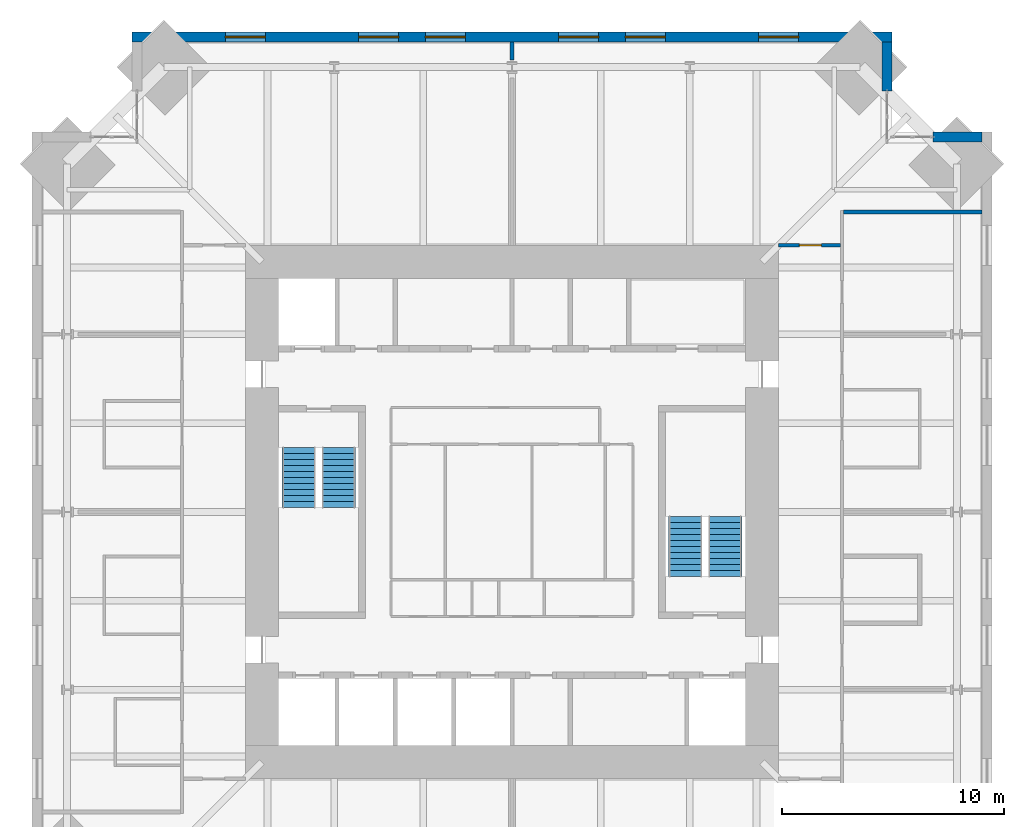
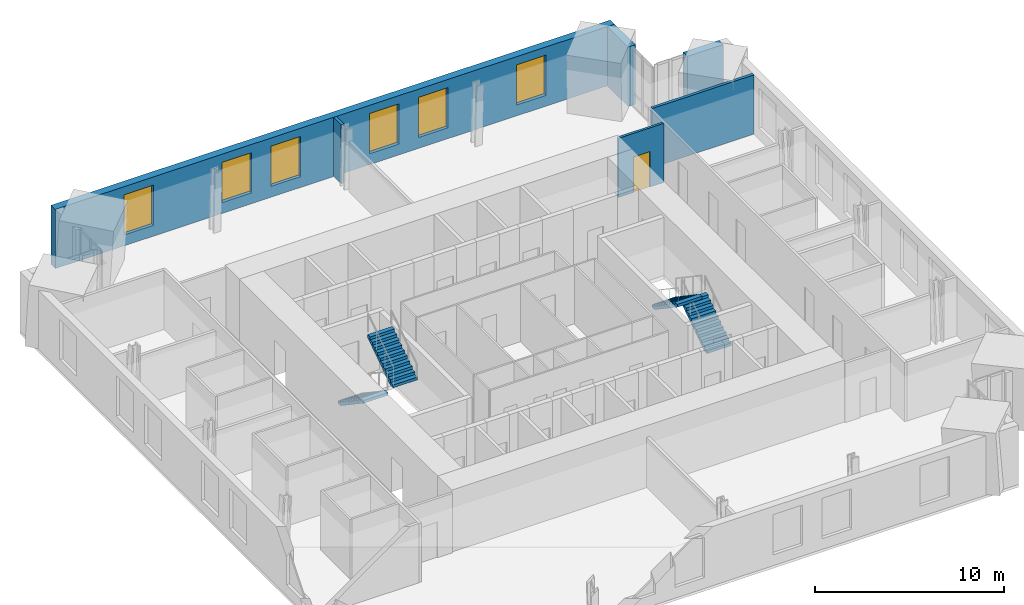
# One storey, part 15 of 16: 6 walls, 6 windows, 4 stair flights, 1 door, 7 openings, 2 elements without a shape of their own.
"""IFC4 building model written with IfcOpenShell, lengths in metres."""

import ifcopenshell
import ifcopenshell.guid

model = None  # the IFC model being written
_history = None  # IfcOwnerHistory: only IFC2X3 demands one
_inside = {}  # id of a spatial element -> (the spatial element, [elements in it])
_under = {}  # id of a project, library or spatial element -> (it, [spatial elements below it])
_declared = {}  # id of a project -> (the project, [libraries it declares])
_typed = {}  # id of a type object -> (the type object, [elements of that type])
_made_of = {}  # id of a material, layer set ... -> (it, [elements and type objects made of it])


def new_model(schema):
    """Start an empty IFC model of exactly this schema.

    Asked for "IFC4X3", IfcOpenShell would pick the latest addendum, in which some entities
    have other attributes; the version numbers below select the first issue.
    IFC2X3 requires an IfcOwnerHistory on every rooted entity: one is made here for all.
    """
    global model, _history
    if schema == "IFC4X3":
        model = ifcopenshell.file(schema_version=(4, 3, 0, 0))
    else:
        model = ifcopenshell.file(schema=schema)
    _inside.clear()
    _under.clear()
    _declared.clear()
    _typed.clear()
    _made_of.clear()
    _history = None
    if model.schema == "IFC2X3":
        org = make("IfcOrganization", Name="unknown")
        user = make(
            "IfcPersonAndOrganization",
            ThePerson=make("IfcPerson", FamilyName="unknown"),
            TheOrganization=org,
        )
        app = make(
            "IfcApplication",
            ApplicationDeveloper=org,
            Version="unknown",
            ApplicationFullName="unknown",
            ApplicationIdentifier="unknown",
        )
        _history = make(
            "IfcOwnerHistory",
            OwningUser=user,
            OwningApplication=app,
            ChangeAction="ADDED",
            CreationDate=0,
        )
    return model


def make(cls, **values):
    """One entity of the class cls with the attributes given. An attribute that is None is left unset."""
    return model.create_entity(
        cls, **{name: value for name, value in values.items() if value is not None}
    )


def rooted(cls, **values):
    """An entity with a GlobalId (a new one), such as an element, a storey or a relation."""
    return make(cls, GlobalId=ifcopenshell.guid.new(), OwnerHistory=_history, **values)


def si_unit(unit_type, name, prefix=None):
    """IfcSIUnit, for example si_unit("LENGTHUNIT", "METRE", prefix="MILLI")."""
    return make("IfcSIUnit", UnitType=unit_type, Prefix=prefix, Name=name)


def assignment(units):
    """IfcUnitAssignment: the units of a project."""
    return None if units is None else make("IfcUnitAssignment", Units=units)


def point(xyz):
    """IfcCartesianPoint."""
    return None if xyz is None else make("IfcCartesianPoint", Coordinates=xyz)


def direction(xyz):
    """IfcDirection."""
    return None if xyz is None else make("IfcDirection", DirectionRatios=xyz)


def frame(location, z_axis=None, x_axis=None):
    """IfcAxis2Placement3D, a coordinate frame: its origin and axes. An axis left out is left unset."""
    return make(
        "IfcAxis2Placement3D",
        Location=point(location),
        Axis=direction(z_axis),
        RefDirection=direction(x_axis),
    )


def frame_2d(location, x_axis=None):
    """IfcAxis2Placement2D, a coordinate frame in the plane: its origin and x axis."""
    return make(
        "IfcAxis2Placement2D", Location=point(location), RefDirection=direction(x_axis)
    )


def origin():
    """The frame at (0, 0, 0) with its axes left unset."""
    return frame((0.0, 0.0, 0.0))


def place(relative_to, where):
    """IfcLocalPlacement: puts the frame where relative to a parent placement (None: the world)."""
    return make(
        "IfcLocalPlacement", PlacementRelTo=relative_to, RelativePlacement=where
    )


def context(
    kind, dimensions, precision=None, world=None, true_north=None, identifier=None
):
    """IfcGeometricRepresentationContext, for example the 3D "Model" context."""
    return make(
        "IfcGeometricRepresentationContext",
        ContextIdentifier=identifier,
        ContextType=kind,
        CoordinateSpaceDimension=dimensions,
        Precision=precision,
        WorldCoordinateSystem=world,
        TrueNorth=true_north,
    )


def subcontext(parent, identifier, kind, view, scale=None):
    """IfcGeometricRepresentationSubContext, for example "Body" below "Model"."""
    return make(
        "IfcGeometricRepresentationSubContext",
        ContextIdentifier=identifier,
        ContextType=kind,
        ParentContext=parent,
        TargetScale=scale,
        TargetView=view,
    )


def project(units=None, contexts=None):
    """IfcProject with its units and contexts."""
    return rooted(
        "IfcProject",
        Name="project",
        RepresentationContexts=contexts,
        UnitsInContext=assignment(units),
    )


def spatial(cls, under=None, at=None, **own):
    """A site, building, storey or space (cls), placed at a placement, below another one or the project."""
    s = rooted(cls, ObjectPlacement=at, **own)
    if under is not None:
        _under.setdefault(under.id(), (under, []))[1].append(s)
    return s


def polyline(points):
    """IfcPolyline through the points."""
    return make("IfcPolyline", Points=[point(p) for p in points])


def profile(cls, at=None, kind="AREA", **sizes):
    """A parametric profile (cls). Its sizes go by their IFC names, for example OverallWidth=200.0."""
    return make(cls, ProfileType=kind, Position=at, **sizes)


def rectangle(**sizes):
    """IfcRectangleProfileDef."""
    return profile("IfcRectangleProfileDef", **sizes)


def outline(outer, holes=None, kind="AREA"):
    """IfcArbitraryClosedProfileDef: a profile drawn as a closed curve; with holes, ...WithVoids."""
    if holes is None:
        return make("IfcArbitraryClosedProfileDef", ProfileType=kind, OuterCurve=outer)
    return make(
        "IfcArbitraryProfileDefWithVoids",
        ProfileType=kind,
        OuterCurve=outer,
        InnerCurves=holes,
    )


def extrude(swept, where, along, depth):
    """IfcExtrudedAreaSolid: the profile swept, set in the frame where, extruded along a direction by depth."""
    return make(
        "IfcExtrudedAreaSolid",
        SweptArea=swept,
        Position=where,
        ExtrudedDirection=direction(along),
        Depth=depth,
    )


def shape(context_of_items, identifier, shape_type, items):
    """IfcShapeRepresentation: the items that make up one representation, for example the "Body"."""
    return make(
        "IfcShapeRepresentation",
        ContextOfItems=context_of_items,
        RepresentationIdentifier=identifier,
        RepresentationType=shape_type,
        Items=items,
    )


def material(Name=None, Category=None):
    """IfcMaterial."""
    return make("IfcMaterial", Name=Name, Category=Category)


def layer(
    of_material, thickness, ventilated=None, Name=None, Category=None, Priority=None
):
    """IfcMaterialLayer: one layer of a wall or slab, of a material (None: an air gap)."""
    return make(
        "IfcMaterialLayer",
        Material=of_material,
        LayerThickness=thickness,
        IsVentilated=ventilated,
        Name=Name,
        Category=Category,
        Priority=Priority,
    )


def layer_set(layers, Name=None):
    """IfcMaterialLayerSet."""
    return make("IfcMaterialLayerSet", MaterialLayers=layers, LayerSetName=Name)


def made_of(thing, what):
    """Note that an element or type object is made of a material, layer set ...; save() writes the relation."""
    if what is not None:
        _made_of.setdefault(what.id(), (what, []))[1].append(thing)
    return thing


def type_object(cls, material=None, **own):
    """A type object (cls), such as IfcWallType, which elements share."""
    return made_of(rooted(cls, **own), material)


def element(
    cls,
    number,
    at=None,
    inside=None,
    cuts=None,
    type_object=None,
    material=None,
    context=None,
    identifier="Body",
    shape_type=None,
    held_by="IfcProductDefinitionShape",
    body=None,
    shapes=None,
    **own,
):
    """One element of the class cls, such as IfcWall. Its Tag is "e" and its number.

    at: its placement. inside: the storey or other place that contains it. cuts: it is an
    opening in that element (IfcRelVoidsElement). A single representation is given by context,
    identifier, shape_type and body (its items); several are given by shapes. held_by: the class
    of the entity that holds the representations. save() writes the other relations.
    """
    e = rooted(cls, Tag="e%d" % number, ObjectPlacement=at, **own)
    if body is not None:
        shapes = [shape(context, identifier, shape_type, body)]
    if shapes is not None:
        e.Representation = make(held_by, Representations=shapes)
    if inside is not None:
        _inside.setdefault(inside.id(), (inside, []))[1].append(e)
    if cuts is not None:
        rooted(
            "IfcRelVoidsElement", RelatingBuildingElement=cuts, RelatedOpeningElement=e
        )
    if type_object is not None:
        _typed.setdefault(type_object.id(), (type_object, []))[1].append(e)
    return made_of(e, material)


def fill(opening, filler):
    """IfcRelFillsElement: the door or window that sits in an opening."""
    return rooted(
        "IfcRelFillsElement",
        RelatingOpeningElement=opening,
        RelatedBuildingElement=filler,
    )


def aggregate(whole, parts):
    """IfcRelAggregates: a whole, such as a stair, and the parts it consists of."""
    return rooted("IfcRelAggregates", RelatingObject=whole, RelatedObjects=parts)


def save(model, path):
    """Write the relations noted so far, then the file.

    IfcRelAggregates (storeys below a building ...), IfcRelContainedInSpatialStructure (elements
    in a storey), IfcRelDefinesByType, IfcRelAssociatesMaterial and IfcRelDeclares: one each for
    every whole, place, type object, material and project.
    """
    for whole, parts in _under.values():
        aggregate(whole, parts)
    for where, things in _inside.values():
        rooted(
            "IfcRelContainedInSpatialStructure",
            RelatedElements=things,
            RelatingStructure=where,
        )
    for kind, things in _typed.values():
        rooted("IfcRelDefinesByType", RelatedObjects=things, RelatingType=kind)
    for what, things in _made_of.values():
        rooted("IfcRelAssociatesMaterial", RelatedObjects=things, RelatingMaterial=what)
    for by, libraries in _declared.values():
        rooted("IfcRelDeclares", RelatingContext=by, RelatedDefinitions=libraries)
    model.write(path)


model = new_model("IFC4")

# Units and contexts
model_context = context("Model", 3, precision=1e-05, world=origin(), true_north=direction((0.0, 1.0)))
body_context = subcontext(model_context, "Body", "Model", "MODEL_VIEW")
ifc_project = project(units=[si_unit("LENGTHUNIT", "METRE"), si_unit("AREAUNIT", "SQUARE_METRE"), si_unit("VOLUMEUNIT", "CUBIC_METRE"), si_unit("PLANEANGLEUNIT", "RADIAN"), si_unit("MASSUNIT", "GRAM", prefix="KILO")], contexts=[model_context])

# Site, building, storey
site_placement = place(None, origin())
site = spatial("IfcSite", under=ifc_project, at=site_placement, CompositionType="ELEMENT")
building_placement = place(site_placement, origin())
building = spatial("IfcBuilding", under=site, at=building_placement, Name="Peilmerk Tower", CompositionType="ELEMENT")
storey_placement = place(building_placement, frame((0.0, 0.0, 269.800048828125)))
storey = spatial("IfcBuildingStorey", under=building, at=storey_placement, Name="L60", CompositionType="ELEMENT", Elevation=269.800048828125)

# Wall, openings, windows
ifc_material_1 = material(Name="Precast concrete C45/55, board-marked finish", Category="concrete")
ifc_layer_1 = layer(ifc_material_1, 0.449951171875)
ifc_layer_set_1 = layer_set([ifc_layer_1], Name="Precast concrete C45/55, board-marked finish")
wall_type_1 = type_object("IfcWallType", Name="EW1 450 precast concrete facade wall, board-marked", PredefinedType="SOLIDWALL", material=ifc_layer_set_1)
wall_1_placement = place(storey_placement, frame((17.10009765625, 21.375, 0.0), z_axis=(0.0, 0.0, 1.0), x_axis=(-1.0, 0.0, 0.0)))
wall_1 = element("IfcWall", 1, at=wall_1_placement, inside=storey, type_object=wall_type_1, Name="Facade wall N L60", PredefinedType="SOLIDWALL", context=body_context, shape_type="SweptSolid", body=[
    extrude(rectangle(XDim=34.2001953125, YDim=0.449951171875, at=frame_2d((17.10009765625, 0.0))), origin(), (0.0, 0.0, 1.0), 3.829833984375),
])
opening_1_placement = place(wall_1_placement, frame((4.199951171875, 0.0, 0.699951171875)))
opening_1 = element("IfcOpeningElement", 2, at=opening_1_placement, cuts=wall_1, Name="Opening W1", PredefinedType="OPENING", context=body_context, shape_type="SweptSolid", body=[
    extrude(rectangle(XDim=1.800048828125, YDim=2.60009765625, at=frame_2d((0.89990234375, 1.300048828125))), frame((0.0, 0.23486328125, 0.0), z_axis=(0.0, -1.0, 0.0), x_axis=(1.0, 0.0, 0.0)), (0.0, 0.0, 1.0), 0.469970703125),
])
opening_2_placement = place(wall_1_placement, frame((10.199951171875, 0.0, 0.699951171875)))
opening_2 = element("IfcOpeningElement", 3, at=opening_2_placement, cuts=wall_1, Name="Opening W1", PredefinedType="OPENING", context=body_context, shape_type="SweptSolid", body=[
    extrude(rectangle(XDim=1.800048828125, YDim=2.60009765625, at=frame_2d((0.89990234375, 1.300048828125))), frame((0.0, 0.23486328125, 0.0), z_axis=(0.0, -1.0, 0.0), x_axis=(1.0, 0.0, 0.0)), (0.0, 0.0, 1.0), 0.469970703125),
])
opening_3_placement = place(wall_1_placement, frame((13.199951171875, 0.0, 0.699951171875)))
opening_3 = element("IfcOpeningElement", 4, at=opening_3_placement, cuts=wall_1, Name="Opening W1", PredefinedType="OPENING", context=body_context, shape_type="SweptSolid", body=[
    extrude(rectangle(XDim=1.800048828125, YDim=2.60009765625, at=frame_2d((0.89990234375, 1.300048828125))), frame((0.0, 0.23486328125, 0.0), z_axis=(0.0, -1.0, 0.0), x_axis=(1.0, 0.0, 0.0)), (0.0, 0.0, 1.0), 0.469970703125),
])
opening_4_placement = place(wall_1_placement, frame((19.199951171875, 0.0, 0.699951171875)))
opening_4 = element("IfcOpeningElement", 5, at=opening_4_placement, cuts=wall_1, Name="Opening W1", PredefinedType="OPENING", context=body_context, shape_type="SweptSolid", body=[
    extrude(rectangle(XDim=1.800048828125, YDim=2.60009765625, at=frame_2d((0.89990234375, 1.300048828125))), frame((0.0, 0.23486328125, 0.0), z_axis=(0.0, -1.0, 0.0), x_axis=(1.0, 0.0, 0.0)), (0.0, 0.0, 1.0), 0.469970703125),
])
opening_5_placement = place(wall_1_placement, frame((22.199951171875, 0.0, 0.699951171875)))
opening_5 = element("IfcOpeningElement", 6, at=opening_5_placement, cuts=wall_1, Name="Opening W1", PredefinedType="OPENING", context=body_context, shape_type="SweptSolid", body=[
    extrude(rectangle(XDim=1.800048828125, YDim=2.60009765625, at=frame_2d((0.89990234375, 1.300048828125))), frame((0.0, 0.23486328125, 0.0), z_axis=(0.0, -1.0, 0.0), x_axis=(1.0, 0.0, 0.0)), (0.0, 0.0, 1.0), 0.469970703125),
])
opening_6_placement = place(wall_1_placement, frame((28.199951171875, 0.0, 0.699951171875)))
opening_6 = element("IfcOpeningElement", 7, at=opening_6_placement, cuts=wall_1, Name="Opening W1", PredefinedType="OPENING", context=body_context, shape_type="SweptSolid", body=[
    extrude(rectangle(XDim=1.800048828125, YDim=2.60009765625, at=frame_2d((0.89990234375, 1.300048828125))), frame((0.0, 0.23486328125, 0.0), z_axis=(0.0, -1.0, 0.0), x_axis=(1.0, 0.0, 0.0)), (0.0, 0.0, 1.0), 0.469970703125),
])
ifc_material_2 = material(Name="Aluminium frame, clear double glazing", Category="aluminium")
window_type = type_object("IfcWindowType", Name="W1 1800x2600 office window", PartitioningType="SINGLE_PANEL", PredefinedType="WINDOW", material=ifc_material_2)
window_1_placement = place(opening_1_placement, origin())
window_1 = element("IfcWindow", 8, at=window_1_placement, inside=storey, type_object=window_type, Name="Window W1 L60", OverallHeight=2.60009765625, OverallWidth=1.800048828125, PartitioningType="SINGLE_PANEL", PredefinedType="WINDOW", context=body_context, shape_type="SweptSolid", body=[
    extrude(rectangle(XDim=1.800048828125, YDim=2.60009765625, at=frame_2d((0.89990234375, 1.300048828125))), frame((0.0, 0.030029296875, 0.0), z_axis=(0.0, -1.0, 0.0), x_axis=(1.0, 0.0, 0.0)), (0.0, 0.0, 1.0), 0.06005859375),
])
fill(opening_1, window_1)
window_2_placement = place(opening_2_placement, origin())
window_2 = element("IfcWindow", 9, at=window_2_placement, inside=storey, type_object=window_type, Name="Window W1 L60", OverallHeight=2.60009765625, OverallWidth=1.800048828125, PartitioningType="SINGLE_PANEL", PredefinedType="WINDOW", context=body_context, shape_type="SweptSolid", body=[
    extrude(rectangle(XDim=1.800048828125, YDim=2.60009765625, at=frame_2d((0.89990234375, 1.300048828125))), frame((0.0, 0.030029296875, 0.0), z_axis=(0.0, -1.0, 0.0), x_axis=(1.0, 0.0, 0.0)), (0.0, 0.0, 1.0), 0.06005859375),
])
fill(opening_2, window_2)
window_3_placement = place(opening_3_placement, origin())
window_3 = element("IfcWindow", 10, at=window_3_placement, inside=storey, type_object=window_type, Name="Window W1 L60", OverallHeight=2.60009765625, OverallWidth=1.800048828125, PartitioningType="SINGLE_PANEL", PredefinedType="WINDOW", context=body_context, shape_type="SweptSolid", body=[
    extrude(rectangle(XDim=1.800048828125, YDim=2.60009765625, at=frame_2d((0.89990234375, 1.300048828125))), frame((0.0, 0.030029296875, 0.0), z_axis=(0.0, -1.0, 0.0), x_axis=(1.0, 0.0, 0.0)), (0.0, 0.0, 1.0), 0.06005859375),
])
fill(opening_3, window_3)
window_4_placement = place(opening_4_placement, origin())
window_4 = element("IfcWindow", 11, at=window_4_placement, inside=storey, type_object=window_type, Name="Window W1 L60", OverallHeight=2.60009765625, OverallWidth=1.800048828125, PartitioningType="SINGLE_PANEL", PredefinedType="WINDOW", context=body_context, shape_type="SweptSolid", body=[
    extrude(rectangle(XDim=1.800048828125, YDim=2.60009765625, at=frame_2d((0.89990234375, 1.300048828125))), frame((0.0, 0.030029296875, 0.0), z_axis=(0.0, -1.0, 0.0), x_axis=(1.0, 0.0, 0.0)), (0.0, 0.0, 1.0), 0.06005859375),
])
fill(opening_4, window_4)
window_5_placement = place(opening_5_placement, origin())
window_5 = element("IfcWindow", 12, at=window_5_placement, inside=storey, type_object=window_type, Name="Window W1 L60", OverallHeight=2.60009765625, OverallWidth=1.800048828125, PartitioningType="SINGLE_PANEL", PredefinedType="WINDOW", context=body_context, shape_type="SweptSolid", body=[
    extrude(rectangle(XDim=1.800048828125, YDim=2.60009765625, at=frame_2d((0.89990234375, 1.300048828125))), frame((0.0, 0.030029296875, 0.0), z_axis=(0.0, -1.0, 0.0), x_axis=(1.0, 0.0, 0.0)), (0.0, 0.0, 1.0), 0.06005859375),
])
fill(opening_5, window_5)
window_6_placement = place(opening_6_placement, origin())
window_6 = element("IfcWindow", 13, at=window_6_placement, inside=storey, type_object=window_type, Name="Window W1 L60", OverallHeight=2.60009765625, OverallWidth=1.800048828125, PartitioningType="SINGLE_PANEL", PredefinedType="WINDOW", context=body_context, shape_type="SweptSolid", body=[
    extrude(rectangle(XDim=1.800048828125, YDim=2.60009765625, at=frame_2d((0.89990234375, 1.300048828125))), frame((0.0, 0.030029296875, 0.0), z_axis=(0.0, -1.0, 0.0), x_axis=(1.0, 0.0, 0.0)), (0.0, 0.0, 1.0), 0.06005859375),
])
fill(opening_6, window_6)

# Walls
for number, where, z_axis, x_axis, name in (
    (14, (16.875, 18.95361328125, 0.0), (0.0, 0.0, 1.0), (0.0, 1.0, 0.0), "Facade wall NEA L60"),
    (15, (18.95361328125, 16.875, 0.0), (0.0, 0.0, 1.0), (1.0, 0.0, 0.0), "Facade wall NEB L60"),
):
    element("IfcWall", number, at=place(storey_placement, frame(where, z_axis=z_axis, x_axis=x_axis)), inside=storey, type_object=wall_type_1, Name=name, PredefinedType="SOLIDWALL", context=body_context, shape_type="SweptSolid", body=[
        extrude(rectangle(XDim=2.1962890625, YDim=0.449951171875, at=frame_2d((1.09814453125, 0.0))), origin(), (0.0, 0.0, 1.0), 3.829833984375),
    ])

# Wall, opening, door
ifc_material_3 = material(Name="Calcium silicate block", Category="masonry")
ifc_layer_2 = layer(ifc_material_3, 0.14990234375)
ifc_layer_set_2 = layer_set([ifc_layer_2], Name="Calcium silicate block")
wall_type_2 = type_object("IfcWallType", Name="IW1 150 corridor partition, EI 60", PredefinedType="PARTITIONING", material=ifc_layer_set_2)
wall_2_placement = place(storey_placement, frame((12.0, 12.0, 0.0), z_axis=(0.0, 0.0, 1.0), x_axis=(1.0, 0.0, 0.0)))
wall_2 = element("IfcWall", 16, at=wall_2_placement, inside=storey, type_object=wall_type_2, Name="Corridor wall NE L60", PredefinedType="PARTITIONING", context=body_context, shape_type="SweptSolid", body=[
    extrude(rectangle(XDim=2.77490234375, YDim=0.14990234375, at=frame_2d((1.387451171875, 0.0))), origin(), (0.0, 0.0, 1.0), 3.829833984375),
])
opening_7_placement = place(wall_2_placement, frame((0.925048828125, 0.0, 0.0)))
opening_7 = element("IfcOpeningElement", 17, at=opening_7_placement, cuts=wall_2, Name="Opening D1", PredefinedType="OPENING", context=body_context, shape_type="SweptSolid", body=[
    extrude(rectangle(XDim=1.0, YDim=2.300048828125, at=frame_2d((0.5, 1.14990234375))), frame((0.0, 0.0849609375, 0.0), z_axis=(0.0, -1.0, 0.0), x_axis=(1.0, 0.0, 0.0)), (0.0, 0.0, 1.0), 0.169921875),
])
ifc_material_4 = material(Name="Timber door in steel frame", Category="steel")
door_type = type_object("IfcDoorType", Name="D1 1000x2300 room door, EI2 30", OperationType="SINGLE_SWING_LEFT", PredefinedType="DOOR", material=ifc_material_4)
door_placement = place(opening_7_placement, origin())
door = element("IfcDoor", 18, at=door_placement, inside=storey, type_object=door_type, Name="Door Office L60", OperationType="SINGLE_SWING_LEFT", OverallHeight=2.300048828125, OverallWidth=1.0, PredefinedType="DOOR", context=body_context, shape_type="SweptSolid", body=[
    extrude(rectangle(XDim=1.0, YDim=2.300048828125, at=frame_2d((0.5, 1.14990234375))), frame((0.0, 0.02490234375, 0.0), z_axis=(0.0, -1.0, 0.0), x_axis=(1.0, 0.0, 0.0)), (0.0, 0.0, 1.0), 0.050048828125),
])
fill(opening_7, door)

# Walls
ifc_layer_3 = layer(ifc_material_3, 0.175048828125)
ifc_layer_set_3 = layer_set([ifc_layer_3], Name="Calcium silicate block")
wall_type_3 = type_object("IfcWallType", Name="IW8 175 tenant separating wall, EI 60", PredefinedType="PARTITIONING", material=ifc_layer_set_3)
wall_3_placement = place(storey_placement, frame((14.925048828125, 13.5, 0.0), z_axis=(0.0, 0.0, 1.0), x_axis=(1.0, 0.0, 0.0)))
element("IfcWall", 19, at=wall_3_placement, inside=storey, type_object=wall_type_3, Name="Tenant separating wall NE L60", PredefinedType="PARTITIONING", context=body_context, shape_type="SweptSolid", body=[
    extrude(rectangle(XDim=6.224853515625, YDim=0.175048828125, at=frame_2d((3.1123046875, 0.0))), origin(), (0.0, 0.0, 1.0), 3.829833984375),
])
wall_4_placement = place(storey_placement, frame((0.0, 20.347412109375, 0.0), z_axis=(0.0, 0.0, 1.0), x_axis=(0.0, 1.0, 0.0)))
element("IfcWall", 20, at=wall_4_placement, inside=storey, type_object=wall_type_3, Name="Tenant separating wall N1b L60", PredefinedType="PARTITIONING", context=body_context, shape_type="SweptSolid", body=[
    extrude(rectangle(XDim=0.802490234375, YDim=0.175048828125, at=frame_2d((0.4013671875, 0.0))), origin(), (0.0, 0.0, 1.0), 3.829833984375),
])

# Stair, stair flights
ifc_material_5 = material(Name="Precast concrete C45/55", Category="concrete")
stair_type_1 = type_object("IfcStairType", Name="ST1 22 risers of 181.8", PredefinedType="HALF_TURN_STAIR", material=ifc_material_5)
stair_1_placement = place(storey_placement, origin())
stair_1 = element("IfcStair", 21, at=stair_1_placement, inside=storey, type_object=stair_type_1, Name="Stair 1 L60 to L61", PredefinedType="HALF_TURN_STAIR")
stair_flight_type = type_object("IfcStairFlightType", Name="SF11 flight, 11 risers of 181.8", PredefinedType="STRAIGHT", material=ifc_material_5)
stair_flight_1_placement = place(storey_placement, frame((-9.60009765625, 2.89990234375, 0.0), z_axis=(0.0, 0.0, 1.0), x_axis=(0.0, -1.0, 0.0)))
stair_flight_1 = element("IfcStairFlight", 22, at=stair_flight_1_placement, type_object=stair_flight_type, Name="ST1 flight 1", NumberOfRisers=11, NumberOfTreads=10, PredefinedType="STRAIGHT", RiserHeight=0.181818182, TreadLength=0.27, context=body_context, shape_type="SweptSolid", body=[
    extrude(outline(polyline([(0.0, 0.0), (0.0, 0.181884765625), (0.27001953125, 0.181884765625), (0.27001953125, 0.363525390625), (0.5400390625, 0.363525390625), (0.5400390625, 0.54541015625), (0.81005859375, 0.54541015625), (0.81005859375, 0.727294921875), (1.080078125, 0.727294921875), (1.080078125, 0.9091796875), (1.35009765625, 0.9091796875), (1.35009765625, 1.0908203125), (1.6201171875, 1.0908203125), (1.6201171875, 1.272705078125), (1.889892578125, 1.272705078125), (1.889892578125, 1.45458984375), (2.159912109375, 1.45458984375), (2.159912109375, 1.636474609375), (2.429931640625, 1.636474609375), (2.429931640625, 1.818115234375), (2.699951171875, 1.818115234375), (2.699951171875, 2.0), (2.699951171875, 1.637451171875), (0.268310546875, 0.0), (0.0, 0.0)])), frame((0.0, 0.75, 0.0), z_axis=(0.0, -1.0, 0.0), x_axis=(1.0, 0.0, 0.0)), (0.0, 0.0, 1.0), 1.5),
])
stair_flight_2_placement = place(storey_placement, frame((-7.800048828125, 0.199951171875, 2.0), z_axis=(0.0, 0.0, 1.0), x_axis=(0.0, 1.0, 0.0)))
stair_flight_2 = element("IfcStairFlight", 23, at=stair_flight_2_placement, type_object=stair_flight_type, Name="ST1 flight 2", NumberOfRisers=11, NumberOfTreads=10, PredefinedType="STRAIGHT", RiserHeight=0.181818182, TreadLength=0.27, context=body_context, shape_type="SweptSolid", body=[
    extrude(outline(polyline([(0.0, 0.0), (0.0, 0.181884765625), (0.27001953125, 0.181884765625), (0.27001953125, 0.363525390625), (0.5400390625, 0.363525390625), (0.5400390625, 0.54541015625), (0.81005859375, 0.54541015625), (0.81005859375, 0.727294921875), (1.080078125, 0.727294921875), (1.080078125, 0.9091796875), (1.35009765625, 0.9091796875), (1.35009765625, 1.0908203125), (1.6201171875, 1.0908203125), (1.6201171875, 1.272705078125), (1.889892578125, 1.272705078125), (1.889892578125, 1.45458984375), (2.159912109375, 1.45458984375), (2.159912109375, 1.636474609375), (2.429931640625, 1.636474609375), (2.429931640625, 1.818115234375), (2.699951171875, 1.818115234375), (2.699951171875, 2.0), (2.699951171875, 1.637451171875), (0.268310546875, 0.0), (0.0, 0.0)])), frame((0.0, 0.75, 0.0), z_axis=(0.0, -1.0, 0.0), x_axis=(1.0, 0.0, 0.0)), (0.0, 0.0, 1.0), 1.5),
])
aggregate(stair_1, [stair_flight_1, stair_flight_2])

stair_type_2 = type_object("IfcStairType", Name="ST2 22 risers of 181.8", PredefinedType="HALF_TURN_STAIR", material=ifc_material_5)
stair_2_placement = place(storey_placement, origin())
stair_2 = element("IfcStair", 24, at=stair_2_placement, inside=storey, type_object=stair_type_2, Name="Stair 2 L60 to L61", PredefinedType="HALF_TURN_STAIR")
stair_flight_3_placement = place(storey_placement, frame((9.60009765625, -2.89990234375, 0.0), z_axis=(0.0, 0.0, 1.0), x_axis=(0.0, 1.0, 0.0)))
stair_flight_3 = element("IfcStairFlight", 25, at=stair_flight_3_placement, type_object=stair_flight_type, Name="ST2 flight 1", NumberOfRisers=11, NumberOfTreads=10, PredefinedType="STRAIGHT", RiserHeight=0.181818182, TreadLength=0.27, context=body_context, shape_type="SweptSolid", body=[
    extrude(outline(polyline([(0.0, 0.0), (0.0, 0.181884765625), (0.27001953125, 0.181884765625), (0.27001953125, 0.363525390625), (0.5400390625, 0.363525390625), (0.5400390625, 0.54541015625), (0.81005859375, 0.54541015625), (0.81005859375, 0.727294921875), (1.080078125, 0.727294921875), (1.080078125, 0.9091796875), (1.35009765625, 0.9091796875), (1.35009765625, 1.0908203125), (1.6201171875, 1.0908203125), (1.6201171875, 1.272705078125), (1.889892578125, 1.272705078125), (1.889892578125, 1.45458984375), (2.159912109375, 1.45458984375), (2.159912109375, 1.636474609375), (2.429931640625, 1.636474609375), (2.429931640625, 1.818115234375), (2.699951171875, 1.818115234375), (2.699951171875, 2.0), (2.699951171875, 1.637451171875), (0.268310546875, 0.0), (0.0, 0.0)])), frame((0.0, 0.75, 0.0), z_axis=(0.0, -1.0, 0.0), x_axis=(1.0, 0.0, 0.0)), (0.0, 0.0, 1.0), 1.5),
])
stair_flight_4_placement = place(storey_placement, frame((7.800048828125, -0.199951171875, 2.0), z_axis=(0.0, 0.0, 1.0), x_axis=(0.0, -1.0, 0.0)))
stair_flight_4 = element("IfcStairFlight", 26, at=stair_flight_4_placement, type_object=stair_flight_type, Name="ST2 flight 2", NumberOfRisers=11, NumberOfTreads=10, PredefinedType="STRAIGHT", RiserHeight=0.181818182, TreadLength=0.27, context=body_context, shape_type="SweptSolid", body=[
    extrude(outline(polyline([(0.0, 0.0), (0.0, 0.181884765625), (0.27001953125, 0.181884765625), (0.27001953125, 0.363525390625), (0.5400390625, 0.363525390625), (0.5400390625, 0.54541015625), (0.81005859375, 0.54541015625), (0.81005859375, 0.727294921875), (1.080078125, 0.727294921875), (1.080078125, 0.9091796875), (1.35009765625, 0.9091796875), (1.35009765625, 1.0908203125), (1.6201171875, 1.0908203125), (1.6201171875, 1.272705078125), (1.889892578125, 1.272705078125), (1.889892578125, 1.45458984375), (2.159912109375, 1.45458984375), (2.159912109375, 1.636474609375), (2.429931640625, 1.636474609375), (2.429931640625, 1.818115234375), (2.699951171875, 1.818115234375), (2.699951171875, 2.0), (2.699951171875, 1.637451171875), (0.268310546875, 0.0), (0.0, 0.0)])), frame((0.0, 0.75, 0.0), z_axis=(0.0, -1.0, 0.0), x_axis=(1.0, 0.0, 0.0)), (0.0, 0.0, 1.0), 1.5),
])
aggregate(stair_2, [stair_flight_3, stair_flight_4])

save(model, "model.ifc")
